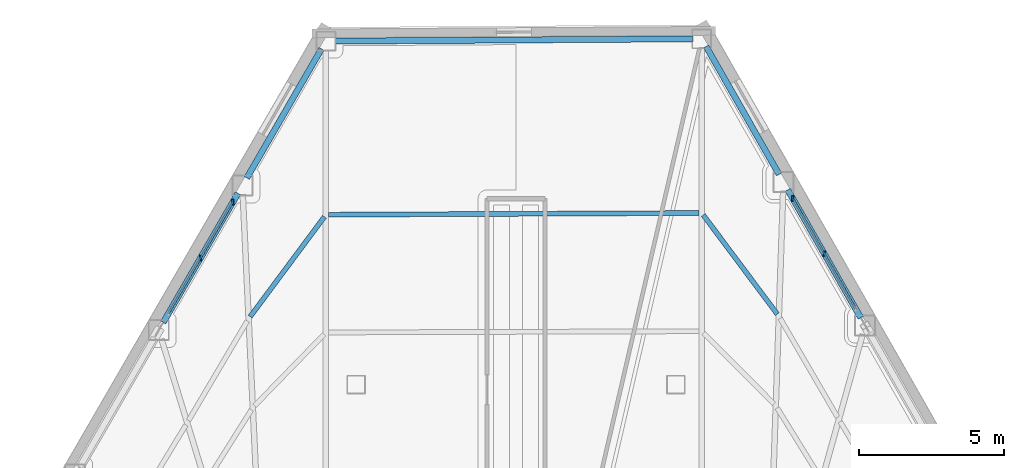
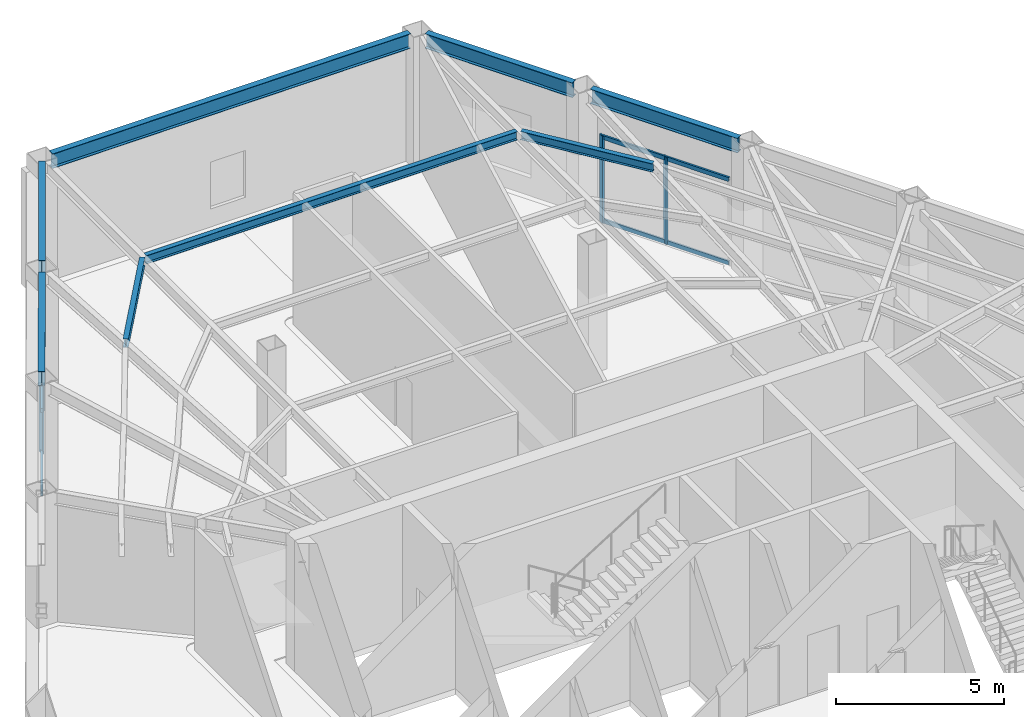
# One storey, part 5 of 14: 8 beams, 8 members, 2 elements without a shape of their own.
"""IFC4 building model written with IfcOpenShell, lengths in metres."""

import ifcopenshell
import ifcopenshell.guid

model = None  # the IFC model being written
_history = None  # IfcOwnerHistory: only IFC2X3 demands one
_inside = {}  # id of a spatial element -> (the spatial element, [elements in it])
_under = {}  # id of a project, library or spatial element -> (it, [spatial elements below it])
_declared = {}  # id of a project -> (the project, [libraries it declares])
_typed = {}  # id of a type object -> (the type object, [elements of that type])
_made_of = {}  # id of a material, layer set ... -> (it, [elements and type objects made of it])


def new_model(schema):
    """Start an empty IFC model of exactly this schema.

    Asked for "IFC4X3", IfcOpenShell would pick the latest addendum, in which some entities
    have other attributes; the version numbers below select the first issue.
    IFC2X3 requires an IfcOwnerHistory on every rooted entity: one is made here for all.
    """
    global model, _history
    if schema == "IFC4X3":
        model = ifcopenshell.file(schema_version=(4, 3, 0, 0))
    else:
        model = ifcopenshell.file(schema=schema)
    _inside.clear()
    _under.clear()
    _declared.clear()
    _typed.clear()
    _made_of.clear()
    _history = None
    if model.schema == "IFC2X3":
        org = make("IfcOrganization", Name="unknown")
        user = make(
            "IfcPersonAndOrganization",
            ThePerson=make("IfcPerson", FamilyName="unknown"),
            TheOrganization=org,
        )
        app = make(
            "IfcApplication",
            ApplicationDeveloper=org,
            Version="unknown",
            ApplicationFullName="unknown",
            ApplicationIdentifier="unknown",
        )
        _history = make(
            "IfcOwnerHistory",
            OwningUser=user,
            OwningApplication=app,
            ChangeAction="ADDED",
            CreationDate=0,
        )
    return model


def make(cls, **values):
    """One entity of the class cls with the attributes given. An attribute that is None is left unset."""
    return model.create_entity(
        cls, **{name: value for name, value in values.items() if value is not None}
    )


def rooted(cls, **values):
    """An entity with a GlobalId (a new one), such as an element, a storey or a relation."""
    return make(cls, GlobalId=ifcopenshell.guid.new(), OwnerHistory=_history, **values)


def si_unit(unit_type, name, prefix=None):
    """IfcSIUnit, for example si_unit("LENGTHUNIT", "METRE", prefix="MILLI")."""
    return make("IfcSIUnit", UnitType=unit_type, Prefix=prefix, Name=name)


def assignment(units):
    """IfcUnitAssignment: the units of a project."""
    return None if units is None else make("IfcUnitAssignment", Units=units)


def point(xyz):
    """IfcCartesianPoint."""
    return None if xyz is None else make("IfcCartesianPoint", Coordinates=xyz)


def direction(xyz):
    """IfcDirection."""
    return None if xyz is None else make("IfcDirection", DirectionRatios=xyz)


def frame(location, z_axis=None, x_axis=None):
    """IfcAxis2Placement3D, a coordinate frame: its origin and axes. An axis left out is left unset."""
    return make(
        "IfcAxis2Placement3D",
        Location=point(location),
        Axis=direction(z_axis),
        RefDirection=direction(x_axis),
    )


def frame_2d(location, x_axis=None):
    """IfcAxis2Placement2D, a coordinate frame in the plane: its origin and x axis."""
    return make(
        "IfcAxis2Placement2D", Location=point(location), RefDirection=direction(x_axis)
    )


def origin():
    """The frame at (0, 0, 0) with its axes left unset."""
    return frame((0.0, 0.0, 0.0))


def origin_2d():
    """The frame at (0, 0) in the plane with its x axis left unset."""
    return frame_2d((0.0, 0.0))


def place(relative_to, where):
    """IfcLocalPlacement: puts the frame where relative to a parent placement (None: the world)."""
    return make(
        "IfcLocalPlacement", PlacementRelTo=relative_to, RelativePlacement=where
    )


def context(
    kind, dimensions, precision=None, world=None, true_north=None, identifier=None
):
    """IfcGeometricRepresentationContext, for example the 3D "Model" context."""
    return make(
        "IfcGeometricRepresentationContext",
        ContextIdentifier=identifier,
        ContextType=kind,
        CoordinateSpaceDimension=dimensions,
        Precision=precision,
        WorldCoordinateSystem=world,
        TrueNorth=true_north,
    )


def subcontext(parent, identifier, kind, view, scale=None):
    """IfcGeometricRepresentationSubContext, for example "Body" below "Model"."""
    return make(
        "IfcGeometricRepresentationSubContext",
        ContextIdentifier=identifier,
        ContextType=kind,
        ParentContext=parent,
        TargetScale=scale,
        TargetView=view,
    )


def project(units=None, contexts=None):
    """IfcProject with its units and contexts."""
    return rooted(
        "IfcProject",
        Name="project",
        RepresentationContexts=contexts,
        UnitsInContext=assignment(units),
    )


def spatial(cls, under=None, at=None, **own):
    """A site, building, storey or space (cls), placed at a placement, below another one or the project."""
    s = rooted(cls, ObjectPlacement=at, **own)
    if under is not None:
        _under.setdefault(under.id(), (under, []))[1].append(s)
    return s


def profile(cls, at=None, kind="AREA", **sizes):
    """A parametric profile (cls). Its sizes go by their IFC names, for example OverallWidth=200.0."""
    return make(cls, ProfileType=kind, Position=at, **sizes)


def rectangle(**sizes):
    """IfcRectangleProfileDef."""
    return profile("IfcRectangleProfileDef", **sizes)


def i_section(**sizes):
    """IfcIShapeProfileDef."""
    return profile("IfcIShapeProfileDef", **sizes)


def extrude(swept, where, along, depth):
    """IfcExtrudedAreaSolid: the profile swept, set in the frame where, extruded along a direction by depth."""
    return make(
        "IfcExtrudedAreaSolid",
        SweptArea=swept,
        Position=where,
        ExtrudedDirection=direction(along),
        Depth=depth,
    )


def shape(context_of_items, identifier, shape_type, items):
    """IfcShapeRepresentation: the items that make up one representation, for example the "Body"."""
    return make(
        "IfcShapeRepresentation",
        ContextOfItems=context_of_items,
        RepresentationIdentifier=identifier,
        RepresentationType=shape_type,
        Items=items,
    )


def material(Name=None, Category=None):
    """IfcMaterial."""
    return make("IfcMaterial", Name=Name, Category=Category)


def layer(
    of_material, thickness, ventilated=None, Name=None, Category=None, Priority=None
):
    """IfcMaterialLayer: one layer of a wall or slab, of a material (None: an air gap)."""
    return make(
        "IfcMaterialLayer",
        Material=of_material,
        LayerThickness=thickness,
        IsVentilated=ventilated,
        Name=Name,
        Category=Category,
        Priority=Priority,
    )


def layer_set(layers, Name=None):
    """IfcMaterialLayerSet."""
    return make("IfcMaterialLayerSet", MaterialLayers=layers, LayerSetName=Name)


def material_profile(
    of_material, cross_section, Name=None, Category=None, Priority=None
):
    """IfcMaterialProfile: a cross section and its material."""
    return make(
        "IfcMaterialProfile",
        Name=Name,
        Material=of_material,
        Profile=cross_section,
        Priority=Priority,
        Category=Category,
    )


def profile_set(profiles, Name=None, composite=None):
    """IfcMaterialProfileSet."""
    return make(
        "IfcMaterialProfileSet",
        Name=Name,
        MaterialProfiles=profiles,
        CompositeProfile=composite,
    )


def made_of(thing, what):
    """Note that an element or type object is made of a material, layer set ...; save() writes the relation."""
    if what is not None:
        _made_of.setdefault(what.id(), (what, []))[1].append(thing)
    return thing


def type_object(cls, material=None, **own):
    """A type object (cls), such as IfcWallType, which elements share."""
    return made_of(rooted(cls, **own), material)


def element(
    cls,
    number,
    at=None,
    inside=None,
    cuts=None,
    type_object=None,
    material=None,
    context=None,
    identifier="Body",
    shape_type=None,
    held_by="IfcProductDefinitionShape",
    body=None,
    shapes=None,
    **own,
):
    """One element of the class cls, such as IfcWall. Its Tag is "e" and its number.

    at: its placement. inside: the storey or other place that contains it. cuts: it is an
    opening in that element (IfcRelVoidsElement). A single representation is given by context,
    identifier, shape_type and body (its items); several are given by shapes. held_by: the class
    of the entity that holds the representations. save() writes the other relations.
    """
    e = rooted(cls, Tag="e%d" % number, ObjectPlacement=at, **own)
    if body is not None:
        shapes = [shape(context, identifier, shape_type, body)]
    if shapes is not None:
        e.Representation = make(held_by, Representations=shapes)
    if inside is not None:
        _inside.setdefault(inside.id(), (inside, []))[1].append(e)
    if cuts is not None:
        rooted(
            "IfcRelVoidsElement", RelatingBuildingElement=cuts, RelatedOpeningElement=e
        )
    if type_object is not None:
        _typed.setdefault(type_object.id(), (type_object, []))[1].append(e)
    return made_of(e, material)


def aggregate(whole, parts):
    """IfcRelAggregates: a whole, such as a stair, and the parts it consists of."""
    return rooted("IfcRelAggregates", RelatingObject=whole, RelatedObjects=parts)


def save(model, path):
    """Write the relations noted so far, then the file.

    IfcRelAggregates (storeys below a building ...), IfcRelContainedInSpatialStructure (elements
    in a storey), IfcRelDefinesByType, IfcRelAssociatesMaterial and IfcRelDeclares: one each for
    every whole, place, type object, material and project.
    """
    for whole, parts in _under.values():
        aggregate(whole, parts)
    for where, things in _inside.values():
        rooted(
            "IfcRelContainedInSpatialStructure",
            RelatedElements=things,
            RelatingStructure=where,
        )
    for kind, things in _typed.values():
        rooted("IfcRelDefinesByType", RelatedObjects=things, RelatingType=kind)
    for what, things in _made_of.values():
        rooted("IfcRelAssociatesMaterial", RelatedObjects=things, RelatingMaterial=what)
    for by, libraries in _declared.values():
        rooted("IfcRelDeclares", RelatingContext=by, RelatedDefinitions=libraries)
    model.write(path)


model = new_model("IFC4")

# Units and contexts
model_context = context("Model", 3, precision=1e-05, world=origin(), true_north=direction((0.0, 1.0)))
body_context = subcontext(model_context, "Body", "Model", "MODEL_VIEW")
ifc_project = project(units=[si_unit("LENGTHUNIT", "METRE"), si_unit("AREAUNIT", "SQUARE_METRE"), si_unit("VOLUMEUNIT", "CUBIC_METRE"), si_unit("PLANEANGLEUNIT", "RADIAN"), si_unit("MASSUNIT", "GRAM", prefix="KILO")], contexts=[model_context])

# Site, building, storey
site_placement = place(None, origin())
site = spatial("IfcSite", under=ifc_project, at=site_placement, CompositionType="ELEMENT")
building_placement = place(site_placement, origin())
building = spatial("IfcBuilding", under=site, at=building_placement, Name="Kavelnor Concourse Tower", CompositionType="ELEMENT")
storey_placement = place(building_placement, frame((0.0, 0.0, 80.5)))
storey = spatial("IfcBuildingStorey", under=building, at=storey_placement, Name="L20", CompositionType="ELEMENT", Elevation=80.5)

# Beams
ifc_material_1 = material(Name="Steel Grade 350", Category="steel")
ifc_material_profile_1 = material_profile(ifc_material_1, i_section(OverallWidth=0.166015625, OverallDepth=0.306884765625, WebThickness=0.006591796875, FlangeThickness=0.01171875, at=origin_2d()), Name="310UB46")
ifc_profile_set_1 = profile_set([ifc_material_profile_1], Name="Steel Grade 350")
beam_type_1 = type_object("IfcBeamType", Name="BM-JOIST-310", PredefinedType="JOIST", material=ifc_profile_set_1)
beam_1_placement = place(storey_placement, frame((46.993408203125, 34.227294921875, 4.596435546875), z_axis=(-0.598503266703, 0.801120365329, 0.0), x_axis=(-0.801120365329, -0.598503266703, 0.0)))
element("IfcBeam", 1, at=beam_1_placement, inside=storey, type_object=beam_type_1, Name="L20 Secondary Composite Joist 14-3", PredefinedType="JOIST", context=body_context, shape_type="SweptSolid", body=[
    extrude(i_section(OverallWidth=0.166015625, OverallDepth=0.306884765625, WebThickness=0.006591796875, FlangeThickness=0.01171875, at=origin_2d()), origin(), (0.0, 0.0, 1.0), 4.257080078125),
])
beam_2_placement = place(storey_placement, frame((44.30322265625, 37.70849609375, 4.596435546875), z_axis=(-0.999989363275, -0.004612302856, 0.0), x_axis=(0.004612302856, -0.999989363275, 0.0)))
element("IfcBeam", 2, at=beam_2_placement, inside=storey, type_object=beam_type_1, Name="L20 Secondary Composite Joist 15-3", PredefinedType="JOIST", context=body_context, shape_type="SweptSolid", body=[
    extrude(i_section(OverallWidth=0.166015625, OverallDepth=0.306884765625, WebThickness=0.006591796875, FlangeThickness=0.01171875, at=origin_2d()), origin(), (0.0, 0.0, 1.0), 12.7568359375),
])
beam_3_placement = place(storey_placement, frame((31.404541015625, 37.577880859375, 4.596435546875), z_axis=(-0.596464622092, -0.802639367707, 0.0), x_axis=(0.802639367707, -0.596464622092, 0.0)))
element("IfcBeam", 3, at=beam_3_placement, inside=storey, type_object=beam_type_1, Name="L20 Secondary Composite Joist 16-3", PredefinedType="JOIST", context=body_context, shape_type="SweptSolid", body=[
    extrude(i_section(OverallWidth=0.166015625, OverallDepth=0.306884765625, WebThickness=0.006591796875, FlangeThickness=0.01171875, at=origin_2d()), origin(), (0.0, 0.0, 1.0), 4.282958984375),
])
ifc_material_profile_2 = material_profile(ifc_material_1, i_section(OverallWidth=0.208984375, OverallDepth=0.532958984375, WebThickness=0.01025390625, FlangeThickness=0.015625, at=origin_2d()), Name="530UB92")
ifc_profile_set_2 = profile_set([ifc_material_profile_2], Name="Steel Grade 350")
beam_type_2 = type_object("IfcBeamType", Name="BM-SPANDREL-Z2", PredefinedType="SPANDREL", material=ifc_profile_set_2)
for number, where, z_axis, x_axis, name in (
    (4, (31.304931640625, 43.35888671875, 4.4833984375), (-0.500775744942, -0.865577063743, 0.0), (0.865577063743, -0.500775744942, 0.0), "L20 Perimeter Tube Spandrel Beam F0-B0"),
    (5, (28.427978515625, 38.385986328125, 4.4833984375), (-0.500775744942, -0.865577063743, 0.0), (0.865577063743, -0.500775744942, 0.0), "L20 Perimeter Tube Spandrel Beam F0-B1"),
):
    element("IfcBeam", number, at=place(storey_placement, frame(where, z_axis=z_axis, x_axis=x_axis)), inside=storey, type_object=beam_type_2, Name=name, PredefinedType="SPANDREL", context=body_context, shape_type="SweptSolid", body=[
        extrude(i_section(OverallWidth=0.208984375, OverallDepth=0.532958984375, WebThickness=0.01025390625, FlangeThickness=0.015625, at=origin_2d()), origin(), (0.0, 0.0, 1.0), 5.135009765625),
    ])
beam_4_placement = place(storey_placement, frame((44.087158203125, 43.703857421875, 4.4833984375), z_axis=(-0.999979403629, -0.006418124181, 0.0), x_axis=(0.006418124181, -0.999979403629, 0.0)))
element("IfcBeam", 6, at=beam_4_placement, inside=storey, type_object=beam_type_2, Name="L20 Chamfer Facet Spandrel Beam C0", PredefinedType="SPANDREL", context=body_context, shape_type="SweptSolid", body=[
    extrude(i_section(OverallWidth=0.208984375, OverallDepth=0.532958984375, WebThickness=0.01025390625, FlangeThickness=0.015625, at=origin_2d()), origin(), (0.0, 0.0, 1.0), 12.32470703125),
])
for number, where, z_axis, x_axis, name in (
    (7, (49.86669921875, 34.101806640625, 4.4833984375), (-0.495225941902, 0.868764217994, 0.0), (-0.868764217994, -0.495225941902, 0.0), "L20 Perimeter Tube Spandrel Beam F2-B4"),
    (8, (47.053955078125, 39.036376953125, 4.4833984375), (-0.495225941902, 0.868764217994, 0.0), (-0.868764217994, -0.495225941902, 0.0), "L20 Perimeter Tube Spandrel Beam F2-B5"),
):
    element("IfcBeam", number, at=place(storey_placement, frame(where, z_axis=z_axis, x_axis=x_axis)), inside=storey, type_object=beam_type_2, Name=name, PredefinedType="SPANDREL", context=body_context, shape_type="SweptSolid", body=[
        extrude(i_section(OverallWidth=0.208984375, OverallDepth=0.532958984375, WebThickness=0.01025390625, FlangeThickness=0.015625, at=origin_2d()), origin(), (0.0, 0.0, 1.0), 5.06982421875),
    ])

# Curtain wall, members
ifc_material_2 = material(Name="Anodised aluminium 6063-T6", Category="aluminium")
ifc_layer = layer(ifc_material_2, 0.18505859375, Name="Anodised aluminium 6063-T6")
ifc_layer_set = layer_set([ifc_layer], Name="Anodised aluminium 6063-T6")
curtain_wall_type = type_object("IfcCurtainWallType", Name="CW-SKYLOBBY-L20", PredefinedType="NOTDEFINED", material=ifc_layer_set)
curtain_wall_1_placement = place(storey_placement, origin())
curtain_wall_1 = element("IfcCurtainWall", 9, at=curtain_wall_1_placement, inside=storey, type_object=curtain_wall_type, Name="L20 Feature Curtain Wall F0-B1", PredefinedType="NOTDEFINED")
ifc_material_profile_3 = material_profile(ifc_material_2, rectangle(XDim=0.06494140625, YDim=0.18505859375, at=origin_2d()), Name="AL-MULL 65x185")
ifc_profile_set_3 = profile_set([ifc_material_profile_3], Name="Anodised aluminium 6063-T6")
member_type_1 = type_object("IfcMemberType", Name="CW-SKYLOBBY-L20-MULL", PredefinedType="MULLION", material=ifc_profile_set_3)
member_1_placement = place(storey_placement, frame((28.255126953125, 38.08740234375, 0.0), z_axis=(0.0, 0.0, 1.0), x_axis=(1.0, 0.0, 0.0)))
member_1 = element("IfcMember", 10, at=member_1_placement, type_object=member_type_1, Name="L20 Feature Curtain Wall F0-B1 Mullion 0", PredefinedType="MULLION", context=body_context, shape_type="SweptSolid", body=[
    extrude(rectangle(XDim=0.06494140625, YDim=0.18505859375, at=origin_2d()), origin(), (0.0, 0.0, 1.0), 3.14990234375),
])
member_2_placement = place(storey_placement, frame((27.14208984375, 36.16357421875, 0.0), z_axis=(0.0, 0.0, 1.0), x_axis=(1.0, 0.0, 0.0)))
member_2 = element("IfcMember", 11, at=member_2_placement, type_object=member_type_1, Name="L20 Feature Curtain Wall F0-B1 Mullion 1", PredefinedType="MULLION", context=body_context, shape_type="SweptSolid", body=[
    extrude(rectangle(XDim=0.06494140625, YDim=0.18505859375, at=origin_2d()), origin(), (0.0, 0.0, 1.0), 3.14990234375),
])

curtain_wall_2_placement = place(storey_placement, origin())
curtain_wall_2 = element("IfcCurtainWall", 12, at=curtain_wall_2_placement, inside=storey, type_object=curtain_wall_type, Name="L20 Feature Curtain Wall F2-B4", PredefinedType="NOTDEFINED")
member_3_placement = place(storey_placement, frame((48.611083984375, 36.30419921875, 0.0), z_axis=(0.0, 0.0, 1.0), x_axis=(1.0, 0.0, 0.0)))
member_3 = element("IfcMember", 13, at=member_3_placement, type_object=member_type_1, Name="L20 Feature Curtain Wall F2-B4 Mullion 1", PredefinedType="MULLION", context=body_context, shape_type="SweptSolid", body=[
    extrude(rectangle(XDim=0.06494140625, YDim=0.18505859375, at=origin_2d()), origin(), (0.0, 0.0, 1.0), 3.14990234375),
])
member_4_placement = place(storey_placement, frame((47.52685546875, 38.20654296875, 0.0), z_axis=(0.0, 0.0, 1.0), x_axis=(1.0, 0.0, 0.0)))
member_4 = element("IfcMember", 14, at=member_4_placement, type_object=member_type_1, Name="L20 Feature Curtain Wall F2-B4 Mullion 2", PredefinedType="MULLION", context=body_context, shape_type="SweptSolid", body=[
    extrude(rectangle(XDim=0.06494140625, YDim=0.18505859375, at=origin_2d()), origin(), (0.0, 0.0, 1.0), 3.14990234375),
])

# Member
ifc_material_profile_4 = material_profile(ifc_material_2, rectangle(XDim=0.06494140625, YDim=0.14990234375, at=origin_2d()), Name="AL-TRAN 65x150")
ifc_profile_set_4 = profile_set([ifc_material_profile_4], Name="Anodised aluminium 6063-T6")
member_type_2 = type_object("IfcMemberType", Name="CW-SKYLOBBY-L20-TRAN", PredefinedType="USERDEFINED", material=ifc_profile_set_4)
member_5_placement = place(storey_placement, frame((28.255126953125, 38.08740234375, 0.06005859375), z_axis=(-0.500739630192, -0.865597956765, 0.0), x_axis=(0.865597956765, -0.500739630192, 0.0)))
member_5 = element("IfcMember", 15, at=member_5_placement, type_object=member_type_2, Name="L20 Feature Curtain Wall F0-B1 Transom 0-BOT", ObjectType="TRANSOM", PredefinedType="USERDEFINED", context=body_context, shape_type="SweptSolid", body=[
    extrude(rectangle(XDim=0.06494140625, YDim=0.14990234375, at=origin_2d()), origin(), (0.0, 0.0, 1.0), 4.445068359375),
])

member_6_placement = place(storey_placement, frame((28.255126953125, 38.08740234375, 3.090087890625), z_axis=(-0.500739630192, -0.865597956765, 0.0), x_axis=(0.865597956765, -0.500739630192, 0.0)))
member_6 = element("IfcMember", 16, at=member_6_placement, type_object=member_type_2, Name="L20 Feature Curtain Wall F0-B1 Transom 0-TOP", ObjectType="TRANSOM", PredefinedType="USERDEFINED", context=body_context, shape_type="SweptSolid", body=[
    extrude(rectangle(XDim=0.06494140625, YDim=0.14990234375, at=origin_2d()), origin(), (0.0, 0.0, 1.0), 4.445068359375),
])

aggregate(curtain_wall_1, [member_1, member_2, member_5, member_6])

member_7_placement = place(storey_placement, frame((49.69580078125, 34.401611328125, 0.06005859375), z_axis=(-0.495226184435, 0.868764079742, 0.0), x_axis=(-0.868764079742, -0.495226184435, 0.0)))
member_7 = element("IfcMember", 17, at=member_7_placement, type_object=member_type_2, Name="L20 Feature Curtain Wall F2-B4 Transom 0-BOT", ObjectType="TRANSOM", PredefinedType="USERDEFINED", context=body_context, shape_type="SweptSolid", body=[
    extrude(rectangle(XDim=0.06494140625, YDim=0.14990234375, at=origin_2d()), origin(), (0.0, 0.0, 1.0), 4.379638671875),
])

member_8_placement = place(storey_placement, frame((49.69580078125, 34.401611328125, 3.090087890625), z_axis=(-0.495226184435, 0.868764079742, 0.0), x_axis=(-0.868764079742, -0.495226184435, 0.0)))
member_8 = element("IfcMember", 18, at=member_8_placement, type_object=member_type_2, Name="L20 Feature Curtain Wall F2-B4 Transom 0-TOP", ObjectType="TRANSOM", PredefinedType="USERDEFINED", context=body_context, shape_type="SweptSolid", body=[
    extrude(rectangle(XDim=0.06494140625, YDim=0.14990234375, at=origin_2d()), origin(), (0.0, 0.0, 1.0), 4.379638671875),
])

aggregate(curtain_wall_2, [member_3, member_4, member_7, member_8])

save(model, "model.ifc")
